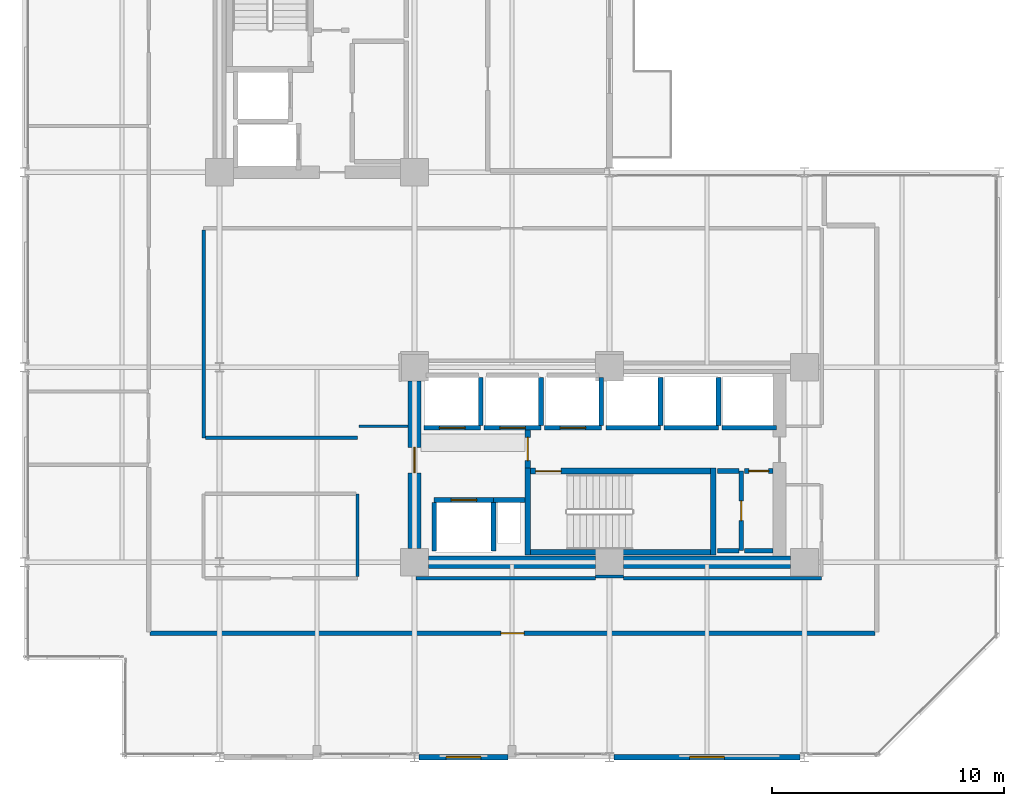
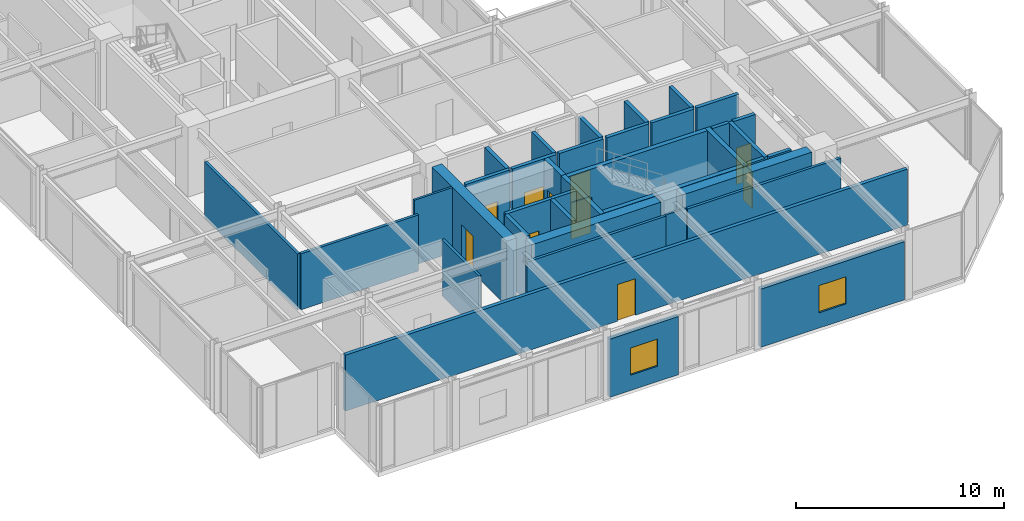
# One storey, part 24 of 29: 38 walls, 10 doors, 2 windows, 12 openings.
"""IFC4 building model written with IfcOpenShell, lengths in metres."""

from ifc_helpers import new_model, si_unit, direction, frame, frame_2d, origin, place, context, subcontext, project, spatial, rectangle, extrude, material, layer, layer_set, type_object, element, fill, save


model = new_model("IFC4")

# Units and contexts
model_context = context("Model", 3, precision=1e-05, world=origin(), true_north=direction((0.0, 1.0)))
body_context = subcontext(model_context, "Body", "Model", "MODEL_VIEW")
ifc_project = project(units=[si_unit("LENGTHUNIT", "METRE"), si_unit("AREAUNIT", "SQUARE_METRE"), si_unit("VOLUMEUNIT", "CUBIC_METRE"), si_unit("PLANEANGLEUNIT", "RADIAN"), si_unit("MASSUNIT", "GRAM", prefix="KILO")], contexts=[model_context])

# Site, building, storey
site_placement = place(None, origin())
site = spatial("IfcSite", under=ifc_project, at=site_placement, CompositionType="ELEMENT")
building_placement = place(site_placement, origin())
building = spatial("IfcBuilding", under=site, at=building_placement, Name="Nerrivon Quay Data Exchange", CompositionType="ELEMENT")
storey_placement = place(building_placement, frame((0.0, 0.0, 137.699951171875)))
storey = spatial("IfcBuildingStorey", under=building, at=storey_placement, Name="L32", CompositionType="ELEMENT", Elevation=137.699951171875)

# Wall, opening, window
ifc_material_1 = material(Name="Architectural terracotta precast concrete N50 (50 MPa)", Category="masonry")
ifc_layer_1 = layer(ifc_material_1, 0.239990234375)
ifc_layer_set_1 = layer_set([ifc_layer_1], Name="Architectural terracotta precast concrete N50 (50 MPa)")
wall_type_1 = type_object("IfcWallType", Name="EW-PREC-240", PredefinedType="STANDARD", material=ifc_layer_set_1)
wall_1_placement = place(storey_placement, frame((33.39990234375, 0.0, 0.0), z_axis=(0.0, 0.0, 1.0), x_axis=(-1.0, 0.0, 0.0)))
wall_1 = element("IfcWall", 1, at=wall_1_placement, inside=storey, type_object=wall_type_1, Name="L32 Podium Precast Spandrel Wall 3", PredefinedType="STANDARD", context=body_context, shape_type="SweptSolid", body=[
    extrude(rectangle(XDim=8.0, YDim=0.239990234375, at=frame_2d((4.0, 0.0))), origin(), (0.0, 0.0, 1.0), 3.422119140625),
])
opening_1_placement = place(wall_1_placement, frame((3.25, 0.0, 0.89990234375)))
opening_1 = element("IfcOpeningElement", 2, at=opening_1_placement, cuts=wall_1, Name="Opening WN4", PredefinedType="OPENING", context=body_context, shape_type="SweptSolid", body=[
    extrude(rectangle(XDim=1.5, YDim=1.60009765625, at=frame_2d((0.75, 0.800048828125))), frame((0.0, 0.1298828125, 0.0), z_axis=(0.0, -1.0, 0.0), x_axis=(1.0, 0.0, 0.0)), (0.0, 0.0, 1.0), 0.260009765625),
])
ifc_material_2 = material(Name="Double-glazed low-E solar control glass", Category="glass")
window_type = type_object("IfcWindowType", Name="WIN-W4-1500x1600", PartitioningType="SINGLE_PANEL", PredefinedType="WINDOW", material=ifc_material_2)
window_1_placement = place(opening_1_placement, origin())
window_1 = element("IfcWindow", 3, at=window_1_placement, inside=storey, type_object=window_type, Name="L32 Solar Facade Window 3", OverallHeight=1.60009765625, OverallWidth=1.5, PartitioningType="SINGLE_PANEL", PredefinedType="WINDOW", context=body_context, shape_type="SweptSolid", body=[
    extrude(rectangle(XDim=1.5, YDim=1.60009765625, at=frame_2d((0.75, 0.800048828125))), frame((0.0, 0.030029296875, 0.0), z_axis=(0.0, -1.0, 0.0), x_axis=(1.0, 0.0, 0.0)), (0.0, 0.0, 1.0), 0.06005859375),
])
fill(opening_1, window_1)

wall_2_placement = place(storey_placement, frame((20.824951171875, 0.0, 0.0), z_axis=(0.0, 0.0, 1.0), x_axis=(-1.0, 0.0, 0.0)))
wall_2 = element("IfcWall", 4, at=wall_2_placement, inside=storey, type_object=wall_type_1, Name="L32 Podium Precast Spandrel Wall 5", PredefinedType="STANDARD", context=body_context, shape_type="SweptSolid", body=[
    extrude(rectangle(XDim=3.824951171875, YDim=0.239990234375, at=frame_2d((1.91259765625, 0.0))), origin(), (0.0, 0.0, 1.0), 3.422119140625),
])
opening_2_placement = place(wall_2_placement, frame((1.16259765625, 0.0, 0.89990234375)))
opening_2 = element("IfcOpeningElement", 5, at=opening_2_placement, cuts=wall_2, Name="Opening WN4", PredefinedType="OPENING", context=body_context, shape_type="SweptSolid", body=[
    extrude(rectangle(XDim=1.5, YDim=1.60009765625, at=frame_2d((0.75, 0.800048828125))), frame((0.0, 0.1298828125, 0.0), z_axis=(0.0, -1.0, 0.0), x_axis=(1.0, 0.0, 0.0)), (0.0, 0.0, 1.0), 0.260009765625),
])
window_2_placement = place(opening_2_placement, origin())
window_2 = element("IfcWindow", 6, at=window_2_placement, inside=storey, type_object=window_type, Name="L32 Solar Facade Window 5", OverallHeight=1.60009765625, OverallWidth=1.5, PartitioningType="SINGLE_PANEL", PredefinedType="WINDOW", context=body_context, shape_type="SweptSolid", body=[
    extrude(rectangle(XDim=1.5, YDim=1.60009765625, at=frame_2d((0.75, 0.800048828125))), frame((0.0, 0.030029296875, 0.0), z_axis=(0.0, -1.0, 0.0), x_axis=(1.0, 0.0, 0.0)), (0.0, 0.0, 1.0), 0.06005859375),
])
fill(opening_2, window_2)

# Walls
ifc_material_3 = material(Name="Concrete S65 (65 MPa)", Category="concrete")
ifc_layer_2 = layer(ifc_material_3, 0.550048828125)
ifc_layer_set_2 = layer_set([ifc_layer_2], Name="Concrete S65 (65 MPa)")
wall_type_2 = type_object("IfcWallType", Name="WALL-CW-700", PredefinedType="SHEAR", material=ifc_layer_set_2)
wall_3_placement = place(storey_placement, frame((17.39990234375, 8.39990234375, 0.0), z_axis=(0.0, 0.0, 1.0), x_axis=(1.0, 0.0, 0.0)))
element("IfcWall", 7, at=wall_3_placement, inside=storey, type_object=wall_type_2, Name="L32 East Split-Core Shear Wall ECW-S1", PredefinedType="SHEAR", context=body_context, shape_type="SweptSolid", body=[
    extrude(rectangle(XDim=7.2001953125, YDim=0.550048828125, at=frame_2d((3.60009765625, 0.0))), origin(), (0.0, 0.0, 1.0), 3.824951171875),
])
wall_4_placement = place(storey_placement, frame((25.800048828125, 8.39990234375, 0.0), z_axis=(0.0, 0.0, 1.0), x_axis=(1.0, 0.0, 0.0)))
element("IfcWall", 8, at=wall_4_placement, inside=storey, type_object=wall_type_2, Name="L32 East Split-Core Shear Wall ECW-S2", PredefinedType="SHEAR", context=body_context, shape_type="SweptSolid", body=[
    extrude(rectangle(XDim=7.199951171875, YDim=0.550048828125, at=frame_2d((3.60009765625, 0.0))), origin(), (0.0, 0.0, 1.0), 3.824951171875),
])

# Wall, opening, door
wall_5_placement = place(storey_placement, frame((16.800048828125, 9.0, 0.0), z_axis=(0.0, 0.0, 1.0), x_axis=(0.0, 1.0, 0.0)))
wall_5 = element("IfcWall", 9, at=wall_5_placement, inside=storey, type_object=wall_type_2, Name="L32 East Split-Core Shear Wall ECW-W1", PredefinedType="SHEAR", context=body_context, shape_type="SweptSolid", body=[
    extrude(rectangle(XDim=7.199951171875, YDim=0.550048828125, at=frame_2d((3.60009765625, 0.0))), origin(), (0.0, 0.0, 1.0), 3.824951171875),
])
opening_3_placement = place(wall_5_placement, frame((3.25, 0.0, 0.0)))
opening_3 = element("IfcOpeningElement", 10, at=opening_3_placement, cuts=wall_5, Name="Opening FD-120", PredefinedType="OPENING", context=body_context, shape_type="SweptSolid", body=[
    extrude(rectangle(XDim=1.10009765625, YDim=2.14990234375, at=frame_2d((0.550048828125, 1.074951171875))), frame((0.0, 0.284912109375, 0.0), z_axis=(0.0, -1.0, 0.0), x_axis=(1.0, 0.0, 0.0)), (0.0, 0.0, 1.0), 0.570068359375),
])
ifc_material_4 = material(Name="Powder-coated galvanized steel sheet", Category="steel")
door_type_1 = type_object("IfcDoorType", Name="DR-FD120-1100", OperationType="NOTDEFINED", PredefinedType="DOOR", material=ifc_material_4)
door_1_placement = place(opening_3_placement, origin())
door_1 = element("IfcDoor", 11, at=door_1_placement, inside=storey, type_object=door_type_1, Name="L32 East Core Lobby Fire Door", OperationType="SINGLE_SWING_RIGHT", OverallHeight=2.14990234375, OverallWidth=1.10009765625, PredefinedType="DOOR", context=body_context, shape_type="SweptSolid", body=[
    extrude(rectangle(XDim=1.10009765625, YDim=2.14990234375, at=frame_2d((0.550048828125, 1.074951171875))), frame((0.0, 0.02490234375, 0.0), z_axis=(0.0, -1.0, 0.0), x_axis=(1.0, 0.0, 0.0)), (0.0, 0.0, 1.0), 0.050048828125),
])
fill(opening_3, door_1)

# Wall
ifc_material_5 = material(Name="Gypsum plasterboard on cold-formed framing", Category="gypsum")
ifc_layer_3 = layer(ifc_material_5, 0.199951171875)
ifc_layer_set_3 = layer_set([ifc_layer_3], Name="Gypsum plasterboard on cold-formed framing")
wall_type_3 = type_object("IfcWallType", Name="WALL-FW-200", PredefinedType="PARTITIONING", material=ifc_layer_set_3)
wall_6_placement = place(storey_placement, frame((20.199951171875, 11.080078125, 0.0), z_axis=(0.0, 0.0, 1.0), x_axis=(1.0, 0.0, 0.0)))
element("IfcWall", 12, at=wall_6_placement, inside=storey, type_object=wall_type_3, Name="L32 East Core MEP Riser Shaft Wall N", PredefinedType="PARTITIONING", context=body_context, shape_type="SweptSolid", body=[
    extrude(rectangle(XDim=1.35009765625, YDim=0.199951171875, at=frame_2d((0.675048828125, 0.0))), origin(), (0.0, 0.0, 1.0), 3.824951171875),
])

# Wall, opening, door
wall_7_placement = place(storey_placement, frame((17.64990234375, 11.080078125, 0.0), z_axis=(0.0, 0.0, 1.0), x_axis=(1.0, 0.0, 0.0)))
wall_7 = element("IfcWall", 13, at=wall_7_placement, inside=storey, type_object=wall_type_3, Name="L32 Lift Front Wall FFL-2", PredefinedType="PARTITIONING", context=body_context, shape_type="SweptSolid", body=[
    extrude(rectangle(XDim=2.550048828125, YDim=0.199951171875, at=frame_2d((1.27490234375, 0.0))), origin(), (0.0, 0.0, 1.0), 3.824951171875),
])
opening_4_placement = place(wall_7_placement, frame((0.72509765625, 0.0, 0.0)))
opening_4 = element("IfcOpeningElement", 14, at=opening_4_placement, cuts=wall_7, Name="Opening LD-120", PredefinedType="OPENING", context=body_context, shape_type="SweptSolid", body=[
    extrude(rectangle(XDim=1.10009765625, YDim=2.199951171875, at=frame_2d((0.550048828125, 1.10009765625))), frame((0.0, 0.10986328125, 0.0), z_axis=(0.0, -1.0, 0.0), x_axis=(1.0, 0.0, 0.0)), (0.0, 0.0, 1.0), 0.219970703125),
])
door_type_2 = type_object("IfcDoorType", Name="DR-LIFT-LD120", OperationType="DOUBLE_DOOR_SLIDING", PredefinedType="DOOR", material=ifc_material_4)
door_2_placement = place(opening_4_placement, origin())
door_2 = element("IfcDoor", 15, at=door_2_placement, inside=storey, type_object=door_type_2, Name="L32 Lift Landing Sliding Door FFL-2", OperationType="DOUBLE_DOOR_SLIDING", OverallHeight=2.199951171875, OverallWidth=1.10009765625, PredefinedType="DOOR", context=body_context, shape_type="SweptSolid", body=[
    extrude(rectangle(XDim=1.10009765625, YDim=2.199951171875, at=frame_2d((0.550048828125, 1.10009765625))), frame((0.0, 0.02490234375, 0.0), z_axis=(0.0, -1.0, 0.0), x_axis=(1.0, 0.0, 0.0)), (0.0, 0.0, 1.0), 0.050048828125),
])
fill(opening_4, door_2)

# Walls
for number, where, z_axis, x_axis, name in (
    (16, (20.199951171875, 8.8798828125, 0.0), (0.0, 0.0, 1.0), (0.0, 1.0, 0.0), "L32 Lift Shaft Wall FFL-2 EAST"),
    (17, (17.64990234375, 8.8798828125, 0.0), (0.0, 0.0, 1.0), (0.0, 1.0, 0.0), "L32 Lift Shaft Wall FFL-2 WEST"),
):
    element("IfcWall", number, at=place(storey_placement, frame(where, z_axis=z_axis, x_axis=x_axis)), inside=storey, type_object=wall_type_3, Name=name, PredefinedType="PARTITIONING", context=body_context, shape_type="SweptSolid", body=[
        extrude(rectangle(XDim=2.10009765625, YDim=0.199951171875, at=frame_2d((1.050048828125, 0.0))), origin(), (0.0, 0.0, 1.0), 3.824951171875),
    ])

# Wall, opening, door
wall_8_placement = place(storey_placement, frame((17.199951171875, 14.199951171875, 0.0), z_axis=(0.0, 0.0, 1.0), x_axis=(1.0, 0.0, 0.0)))
wall_8 = element("IfcWall", 18, at=wall_8_placement, inside=storey, type_object=wall_type_3, Name="L32 Lift Front Wall PL4", PredefinedType="PARTITIONING", context=body_context, shape_type="SweptSolid", body=[
    extrude(rectangle(XDim=2.449951171875, YDim=0.199951171875, at=frame_2d((1.22509765625, 0.0))), origin(), (0.0, 0.0, 1.0), 3.824951171875),
])
opening_5_placement = place(wall_8_placement, frame((0.675048828125, 0.0, 0.0)))
opening_5 = element("IfcOpeningElement", 19, at=opening_5_placement, cuts=wall_8, Name="Opening LD-120", PredefinedType="OPENING", context=body_context, shape_type="SweptSolid", body=[
    extrude(rectangle(XDim=1.10009765625, YDim=2.199951171875, at=frame_2d((0.550048828125, 1.10009765625))), frame((0.0, 0.10986328125, 0.0), z_axis=(0.0, -1.0, 0.0), x_axis=(1.0, 0.0, 0.0)), (0.0, 0.0, 1.0), 0.219970703125),
])
door_3_placement = place(opening_5_placement, origin())
door_3 = element("IfcDoor", 20, at=door_3_placement, inside=storey, type_object=door_type_2, Name="L32 Lift Landing Sliding Door PL4", OperationType="DOUBLE_DOOR_SLIDING", OverallHeight=2.199951171875, OverallWidth=1.10009765625, PredefinedType="DOOR", context=body_context, shape_type="SweptSolid", body=[
    extrude(rectangle(XDim=1.10009765625, YDim=2.199951171875, at=frame_2d((0.550048828125, 1.10009765625))), frame((0.0, 0.02490234375, 0.0), z_axis=(0.0, -1.0, 0.0), x_axis=(1.0, 0.0, 0.0)), (0.0, 0.0, 1.0), 0.050048828125),
])
fill(opening_5, door_3)

# Wall
wall_9_placement = place(storey_placement, frame((19.64990234375, 14.300048828125, 0.0), z_axis=(0.0, 0.0, 1.0), x_axis=(0.0, 1.0, 0.0)))
element("IfcWall", 21, at=wall_9_placement, inside=storey, type_object=wall_type_3, Name="L32 Lift Shaft Wall PL4 EAST", PredefinedType="PARTITIONING", context=body_context, shape_type="SweptSolid", body=[
    extrude(rectangle(XDim=2.050048828125, YDim=0.199951171875, at=frame_2d((1.02490234375, 0.0))), origin(), (0.0, 0.0, 1.0), 3.824951171875),
])

# Wall, opening, door
wall_10_placement = place(storey_placement, frame((19.800048828125, 14.199951171875, 0.0), z_axis=(0.0, 0.0, 1.0), x_axis=(1.0, 0.0, 0.0)))
wall_10 = element("IfcWall", 22, at=wall_10_placement, inside=storey, type_object=wall_type_3, Name="L32 Lift Front Wall PL5", PredefinedType="PARTITIONING", context=body_context, shape_type="SweptSolid", body=[
    extrude(rectangle(XDim=2.449951171875, YDim=0.199951171875, at=frame_2d((1.22509765625, 0.0))), origin(), (0.0, 0.0, 1.0), 3.824951171875),
])
opening_6_placement = place(wall_10_placement, frame((0.675048828125, 0.0, 0.0)))
opening_6 = element("IfcOpeningElement", 23, at=opening_6_placement, cuts=wall_10, Name="Opening LD-120", PredefinedType="OPENING", context=body_context, shape_type="SweptSolid", body=[
    extrude(rectangle(XDim=1.10009765625, YDim=2.199951171875, at=frame_2d((0.550048828125, 1.10009765625))), frame((0.0, 0.10986328125, 0.0), z_axis=(0.0, -1.0, 0.0), x_axis=(1.0, 0.0, 0.0)), (0.0, 0.0, 1.0), 0.219970703125),
])
door_4_placement = place(opening_6_placement, origin())
door_4 = element("IfcDoor", 24, at=door_4_placement, inside=storey, type_object=door_type_2, Name="L32 Lift Landing Sliding Door PL5", OperationType="DOUBLE_DOOR_SLIDING", OverallHeight=2.199951171875, OverallWidth=1.10009765625, PredefinedType="DOOR", context=body_context, shape_type="SweptSolid", body=[
    extrude(rectangle(XDim=1.10009765625, YDim=2.199951171875, at=frame_2d((0.550048828125, 1.10009765625))), frame((0.0, 0.02490234375, 0.0), z_axis=(0.0, -1.0, 0.0), x_axis=(1.0, 0.0, 0.0)), (0.0, 0.0, 1.0), 0.050048828125),
])
fill(opening_6, door_4)

# Wall
wall_11_placement = place(storey_placement, frame((22.25, 14.300048828125, 0.0), z_axis=(0.0, 0.0, 1.0), x_axis=(0.0, 1.0, 0.0)))
element("IfcWall", 25, at=wall_11_placement, inside=storey, type_object=wall_type_3, Name="L32 Lift Shaft Wall PL5 EAST", PredefinedType="PARTITIONING", context=body_context, shape_type="SweptSolid", body=[
    extrude(rectangle(XDim=2.050048828125, YDim=0.199951171875, at=frame_2d((1.02490234375, 0.0))), origin(), (0.0, 0.0, 1.0), 3.824951171875),
])

# Wall, opening, door
wall_12_placement = place(storey_placement, frame((22.39990234375, 14.199951171875, 0.0), z_axis=(0.0, 0.0, 1.0), x_axis=(1.0, 0.0, 0.0)))
wall_12 = element("IfcWall", 26, at=wall_12_placement, inside=storey, type_object=wall_type_3, Name="L32 Lift Front Wall PL6", PredefinedType="PARTITIONING", context=body_context, shape_type="SweptSolid", body=[
    extrude(rectangle(XDim=2.4501953125, YDim=0.199951171875, at=frame_2d((1.22509765625, 0.0))), origin(), (0.0, 0.0, 1.0), 3.824951171875),
])
opening_7_placement = place(wall_12_placement, frame((0.675048828125, 0.0, 0.0)))
opening_7 = element("IfcOpeningElement", 27, at=opening_7_placement, cuts=wall_12, Name="Opening LD-120", PredefinedType="OPENING", context=body_context, shape_type="SweptSolid", body=[
    extrude(rectangle(XDim=1.10009765625, YDim=2.199951171875, at=frame_2d((0.550048828125, 1.10009765625))), frame((0.0, 0.10986328125, 0.0), z_axis=(0.0, -1.0, 0.0), x_axis=(1.0, 0.0, 0.0)), (0.0, 0.0, 1.0), 0.219970703125),
])
door_5_placement = place(opening_7_placement, origin())
door_5 = element("IfcDoor", 28, at=door_5_placement, inside=storey, type_object=door_type_2, Name="L32 Lift Landing Sliding Door PL6", OperationType="DOUBLE_DOOR_SLIDING", OverallHeight=2.199951171875, OverallWidth=1.10009765625, PredefinedType="DOOR", context=body_context, shape_type="SweptSolid", body=[
    extrude(rectangle(XDim=1.10009765625, YDim=2.199951171875, at=frame_2d((0.550048828125, 1.10009765625))), frame((0.0, 0.02490234375, 0.0), z_axis=(0.0, -1.0, 0.0), x_axis=(1.0, 0.0, 0.0)), (0.0, 0.0, 1.0), 0.050048828125),
])
fill(opening_7, door_5)

# Walls
wall_13_placement = place(storey_placement, frame((24.85009765625, 14.300048828125, 0.0), z_axis=(0.0, 0.0, 1.0), x_axis=(0.0, 1.0, 0.0)))
element("IfcWall", 29, at=wall_13_placement, inside=storey, type_object=wall_type_3, Name="L32 Lift Shaft Wall PL6 EAST", PredefinedType="PARTITIONING", context=body_context, shape_type="SweptSolid", body=[
    extrude(rectangle(XDim=2.050048828125, YDim=0.199951171875, at=frame_2d((1.02490234375, 0.0))), origin(), (0.0, 0.0, 1.0), 3.824951171875),
])
wall_14_placement = place(storey_placement, frame((25.050048828125, 14.199951171875, 0.0), z_axis=(0.0, 0.0, 1.0), x_axis=(1.0, 0.0, 0.0)))
element("IfcWall", 30, at=wall_14_placement, inside=storey, type_object=wall_type_3, Name="L32 Lift Front Wall PL7", PredefinedType="PARTITIONING", context=body_context, shape_type="SweptSolid", body=[
    extrude(rectangle(XDim=2.349853515625, YDim=0.199951171875, at=frame_2d((1.1748046875, 0.0))), origin(), (0.0, 0.0, 1.0), 3.824951171875),
])
wall_15_placement = place(storey_placement, frame((27.39990234375, 14.300048828125, 0.0), z_axis=(0.0, 0.0, 1.0), x_axis=(0.0, 1.0, 0.0)))
element("IfcWall", 31, at=wall_15_placement, inside=storey, type_object=wall_type_3, Name="L32 Lift Shaft Wall PL7 EAST", PredefinedType="PARTITIONING", context=body_context, shape_type="SweptSolid", body=[
    extrude(rectangle(XDim=2.050048828125, YDim=0.199951171875, at=frame_2d((1.02490234375, 0.0))), origin(), (0.0, 0.0, 1.0), 3.824951171875),
])
wall_16_placement = place(storey_placement, frame((27.550048828125, 14.199951171875, 0.0), z_axis=(0.0, 0.0, 1.0), x_axis=(1.0, 0.0, 0.0)))
element("IfcWall", 32, at=wall_16_placement, inside=storey, type_object=wall_type_3, Name="L32 Lift Front Wall PL8", PredefinedType="PARTITIONING", context=body_context, shape_type="SweptSolid", body=[
    extrude(rectangle(XDim=2.349853515625, YDim=0.199951171875, at=frame_2d((1.1748046875, 0.0))), origin(), (0.0, 0.0, 1.0), 3.824951171875),
])
wall_17_placement = place(storey_placement, frame((29.89990234375, 14.300048828125, 0.0), z_axis=(0.0, 0.0, 1.0), x_axis=(0.0, 1.0, 0.0)))
element("IfcWall", 33, at=wall_17_placement, inside=storey, type_object=wall_type_3, Name="L32 Lift Shaft Wall PL8 EAST", PredefinedType="PARTITIONING", context=body_context, shape_type="SweptSolid", body=[
    extrude(rectangle(XDim=2.050048828125, YDim=0.199951171875, at=frame_2d((1.02490234375, 0.0))), origin(), (0.0, 0.0, 1.0), 3.824951171875),
])
wall_18_placement = place(storey_placement, frame((30.050048828125, 14.199951171875, 0.0), z_axis=(0.0, 0.0, 1.0), x_axis=(1.0, 0.0, 0.0)))
element("IfcWall", 34, at=wall_18_placement, inside=storey, type_object=wall_type_3, Name="L32 Lift Front Wall PL9", PredefinedType="PARTITIONING", context=body_context, shape_type="SweptSolid", body=[
    extrude(rectangle(XDim=2.349853515625, YDim=0.199951171875, at=frame_2d((1.1748046875, 0.0))), origin(), (0.0, 0.0, 1.0), 3.824951171875),
])

# Wall, opening, door
wall_19_placement = place(storey_placement, frame((30.8798828125, 8.89990234375, 0.0), z_axis=(0.0, 0.0, 1.0), x_axis=(0.0, 1.0, 0.0)))
wall_19 = element("IfcWall", 35, at=wall_19_placement, inside=storey, type_object=wall_type_3, Name="L32 Partition East Electrical Closet", PredefinedType="PARTITIONING", context=body_context, shape_type="SweptSolid", body=[
    extrude(rectangle(XDim=3.43017578125, YDim=0.199951171875, at=frame_2d((1.715087890625, 0.0))), origin(), (0.0, 0.0, 1.0), 3.824951171875),
])
opening_8_placement = place(wall_19_placement, frame((1.2900390625, 0.0, 0.0)))
opening_8 = element("IfcOpeningElement", 36, at=opening_8_placement, cuts=wall_19, Name="Opening FD-60S", PredefinedType="OPENING", context=body_context, shape_type="SweptSolid", body=[
    extrude(rectangle(XDim=0.85009765625, YDim=2.14990234375, at=frame_2d((0.425048828125, 1.074951171875))), frame((0.0, 0.10986328125, 0.0), z_axis=(0.0, -1.0, 0.0), x_axis=(1.0, 0.0, 0.0)), (0.0, 0.0, 1.0), 0.219970703125),
])
ifc_material_6 = material(Name="Engineered hardwood timber", Category="wood")
door_type_3 = type_object("IfcDoorType", Name="DR-FD60-850", OperationType="NOTDEFINED", PredefinedType="DOOR", material=ifc_material_6)
door_6_placement = place(opening_8_placement, origin())
door_6 = element("IfcDoor", 37, at=door_6_placement, inside=storey, type_object=door_type_3, Name="L32 Door East Electrical Closet", OperationType="SINGLE_SWING_LEFT", OverallHeight=2.14990234375, OverallWidth=0.85009765625, PredefinedType="DOOR", context=body_context, shape_type="SweptSolid", body=[
    extrude(rectangle(XDim=0.85009765625, YDim=2.14990234375, at=frame_2d((0.425048828125, 1.074951171875))), frame((0.0, 0.02490234375, 0.0), z_axis=(0.0, -1.0, 0.0), x_axis=(1.0, 0.0, 0.0)), (0.0, 0.0, 1.0), 0.050048828125),
])
fill(opening_8, door_6)

# Walls
for number, where, z_axis, x_axis, name in (
    (38, (30.77587890625, 12.330078125, 0.0), (0.0, 0.0, 1.0), (-1.0, 0.0, 0.0), "L32 Partition East Electrical Closet"),
    (39, (29.85009765625, 8.89990234375, 0.0), (0.0, 0.0, 1.0), (1.0, 0.0, 0.0), "L32 Partition East Electrical Closet"),
):
    element("IfcWall", number, at=place(storey_placement, frame(where, z_axis=z_axis, x_axis=x_axis)), inside=storey, type_object=wall_type_3, Name=name, PredefinedType="PARTITIONING", context=body_context, shape_type="SweptSolid", body=[
        extrude(rectangle(XDim=0.92578125, YDim=0.199951171875, at=frame_2d((0.462890625, 0.0))), origin(), (0.0, 0.0, 1.0), 3.824951171875),
    ])

# Wall, opening, door
wall_20_placement = place(storey_placement, frame((32.24609375, 12.330078125, 0.0), z_axis=(0.0, 0.0, 1.0), x_axis=(-1.0, 0.0, 0.0)))
wall_20 = element("IfcWall", 40, at=wall_20_placement, inside=storey, type_object=wall_type_3, Name="L32 Partition East Cleaners Store", PredefinedType="PARTITIONING", context=body_context, shape_type="SweptSolid", body=[
    extrude(rectangle(XDim=1.22607421875, YDim=0.199951171875, at=frame_2d((0.613037109375, 0.0))), origin(), (0.0, 0.0, 1.0), 3.824951171875),
])
opening_9_placement = place(wall_20_placement, frame((0.18798828125, 0.0, 0.0)))
opening_9 = element("IfcOpeningElement", 41, at=opening_9_placement, cuts=wall_20, Name="Opening FD-60S", PredefinedType="OPENING", context=body_context, shape_type="SweptSolid", body=[
    extrude(rectangle(XDim=0.85009765625, YDim=2.14990234375, at=frame_2d((0.425048828125, 1.074951171875))), frame((0.0, 0.10986328125, 0.0), z_axis=(0.0, -1.0, 0.0), x_axis=(1.0, 0.0, 0.0)), (0.0, 0.0, 1.0), 0.219970703125),
])
door_7_placement = place(opening_9_placement, origin())
door_7 = element("IfcDoor", 42, at=door_7_placement, inside=storey, type_object=door_type_3, Name="L32 Door East Cleaners Store", OperationType="SINGLE_SWING_RIGHT", OverallHeight=2.14990234375, OverallWidth=0.85009765625, PredefinedType="DOOR", context=body_context, shape_type="SweptSolid", body=[
    extrude(rectangle(XDim=0.85009765625, YDim=2.14990234375, at=frame_2d((0.425048828125, 1.074951171875))), frame((0.0, 0.02490234375, 0.0), z_axis=(0.0, -1.0, 0.0), x_axis=(1.0, 0.0, 0.0)), (0.0, 0.0, 1.0), 0.050048828125),
])
fill(opening_9, door_7)

# Wall
wall_21_placement = place(storey_placement, frame((31.02001953125, 8.89990234375, 0.0), z_axis=(0.0, 0.0, 1.0), x_axis=(1.0, 0.0, 0.0)))
element("IfcWall", 43, at=wall_21_placement, inside=storey, type_object=wall_type_3, Name="L32 Partition East Cleaners Store", PredefinedType="PARTITIONING", context=body_context, shape_type="SweptSolid", body=[
    extrude(rectangle(XDim=1.22607421875, YDim=0.199951171875, at=frame_2d((0.613037109375, 0.0))), origin(), (0.0, 0.0, 1.0), 3.824951171875),
])

# Wall, opening, door
wall_22_placement = place(storey_placement, frame((36.64990234375, 5.340087890625, 0.0), z_axis=(0.0, 0.0, 1.0), x_axis=(-1.0, 0.0, 0.0)))
wall_22 = element("IfcWall", 44, at=wall_22_placement, inside=storey, type_object=wall_type_3, Name="L32 Partition Colocation Data Workspace 1", PredefinedType="PARTITIONING", context=body_context, shape_type="SweptSolid", body=[
    extrude(rectangle(XDim=31.25, YDim=0.199951171875, at=frame_2d((15.625, 0.0))), origin(), (0.0, 0.0, 1.0), 3.297119140625),
])
opening_10_placement = place(wall_22_placement, frame((15.125, 0.0, 0.0)))
opening_10 = element("IfcOpeningElement", 45, at=opening_10_placement, cuts=wall_22, Name="Opening FD-60", PredefinedType="OPENING", context=body_context, shape_type="SweptSolid", body=[
    extrude(rectangle(XDim=1.0, YDim=2.14990234375, at=frame_2d((0.5, 1.074951171875))), frame((0.0, 0.10986328125, 0.0), z_axis=(0.0, -1.0, 0.0), x_axis=(1.0, 0.0, 0.0)), (0.0, 0.0, 1.0), 0.219970703125),
])
door_type_4 = type_object("IfcDoorType", Name="DR-FD60-1000", OperationType="NOTDEFINED", PredefinedType="DOOR", material=ifc_material_6)
door_8_placement = place(opening_10_placement, origin())
door_8 = element("IfcDoor", 46, at=door_8_placement, inside=storey, type_object=door_type_4, Name="L32 Door Colocation Data Workspace 1", OperationType="SINGLE_SWING_LEFT", OverallHeight=2.14990234375, OverallWidth=1.0, PredefinedType="DOOR", context=body_context, shape_type="SweptSolid", body=[
    extrude(rectangle(XDim=1.0, YDim=2.14990234375, at=frame_2d((0.5, 1.074951171875))), frame((0.0, 0.02490234375, 0.0), z_axis=(0.0, -1.0, 0.0), x_axis=(1.0, 0.0, 0.0)), (0.0, 0.0, 1.0), 0.050048828125),
])
fill(opening_10, door_8)

# Walls
ifc_layer_4 = layer(ifc_material_5, 0.1201171875)
ifc_layer_set_4 = layer_set([ifc_layer_4], Name="Gypsum plasterboard on cold-formed framing")
wall_type_4 = type_object("IfcWallType", Name="WALL-PT-120", PredefinedType="PARTITIONING", material=ifc_layer_set_4)
wall_23_placement = place(storey_placement, frame((25.805908203125, 7.781005859375, 0.0), z_axis=(0.0, 0.0, 1.0), x_axis=(-0.999999672047, -0.000809880277, 0.0)))
element("IfcWall", 47, at=wall_23_placement, inside=storey, type_object=wall_type_4, Name="L32 Partition Staff Pantry", PredefinedType="PARTITIONING", context=body_context, shape_type="SweptSolid", body=[
    extrude(rectangle(XDim=1.205810546875, YDim=0.1201171875, at=frame_2d((0.60302734375, 0.0))), origin(), (0.0, 0.0, 1.0), 3.297119140625),
])
wall_24_placement = place(storey_placement, frame((14.39990234375, 14.260009765625, 0.0), z_axis=(0.0, 0.0, 1.0), x_axis=(1.0, 0.0, 0.0)))
element("IfcWall", 48, at=wall_24_placement, inside=storey, type_object=wall_type_4, Name="L32 Partition Peering Huddle Meeting Room", PredefinedType="PARTITIONING", context=body_context, shape_type="SweptSolid", body=[
    extrude(rectangle(XDim=2.12109375, YDim=0.1201171875, at=frame_2d((1.060546875, 0.0))), origin(), (0.0, 0.0, 1.0), 3.824951171875),
])
ifc_layer_5 = layer(ifc_material_5, 0.135009765625)
ifc_layer_set_5 = layer_set([ifc_layer_5], Name="Gypsum plasterboard on cold-formed framing")
wall_type_5 = type_object("IfcWallType", Name="WALL-PT-135", PredefinedType="PARTITIONING", material=ifc_layer_set_5)
wall_25_placement = place(storey_placement, frame((14.340087890625, 7.7890625, 0.0), z_axis=(0.0, 0.0, 1.0), x_axis=(0.0, 1.0, 0.0)))
element("IfcWall", 49, at=wall_25_placement, inside=storey, type_object=wall_type_5, Name="L32 Partition Client Conference Room 1", PredefinedType="PARTITIONING", context=body_context, shape_type="SweptSolid", body=[
    extrude(rectangle(XDim=3.551025390625, YDim=0.135009765625, at=frame_2d((1.775390625, 0.0))), origin(), (0.0, 0.0, 1.0), 3.2919921875),
])
ifc_layer_6 = layer(ifc_material_5, 0.14990234375)
ifc_layer_set_6 = layer_set([ifc_layer_6], Name="Gypsum plasterboard on cold-formed framing")
wall_type_6 = type_object("IfcWallType", Name="WALL-PT-150", PredefinedType="PARTITIONING", material=ifc_layer_set_6)
wall_26_placement = place(storey_placement, frame((16.860107421875, 7.7099609375, 0.0), z_axis=(0.0, 0.0, 1.0), x_axis=(1.0, 0.0, 0.0)))
element("IfcWall", 50, at=wall_26_placement, inside=storey, type_object=wall_type_6, Name="L32 Partition Staff Pantry", PredefinedType="PARTITIONING", context=body_context, shape_type="SweptSolid", body=[
    extrude(rectangle(XDim=7.739990234375, YDim=0.14990234375, at=frame_2d((3.8701171875, 0.0))), origin(), (0.0, 0.0, 1.0), 3.297119140625),
])
wall_27_placement = place(storey_placement, frame((25.805908203125, 7.7099609375, 0.0), z_axis=(0.0, 0.0, 1.0), x_axis=(1.0, 0.0, 0.0)))
element("IfcWall", 51, at=wall_27_placement, inside=storey, type_object=wall_type_6, Name="L32 Partition Staff Pantry", PredefinedType="PARTITIONING", context=body_context, shape_type="SweptSolid", body=[
    extrude(rectangle(XDim=8.5341796875, YDim=0.14990234375, at=frame_2d((4.26708984375, 0.0))), origin(), (0.0, 0.0, 1.0), 3.297119140625),
])
wall_28_placement = place(storey_placement, frame((7.7099609375, 22.7109375, 0.0), z_axis=(0.0, 0.0, 1.0), x_axis=(0.0, -1.0, 0.0)))
element("IfcWall", 52, at=wall_28_placement, inside=storey, type_object=wall_type_6, Name="L32 Partition Peering Huddle Meeting Room", PredefinedType="PARTITIONING", context=body_context, shape_type="SweptSolid", body=[
    extrude(rectangle(XDim=8.950927734375, YDim=0.14990234375, at=frame_2d((4.4755859375, 0.0))), origin(), (0.0, 0.0, 1.0), 3.2919921875),
])
wall_29_placement = place(storey_placement, frame((7.7890625, 13.760009765625, 0.0), z_axis=(0.0, 0.0, 1.0), x_axis=(1.0, 0.0, 0.0)))
element("IfcWall", 53, at=wall_29_placement, inside=storey, type_object=wall_type_6, Name="L32 Partition Peering Huddle Meeting Room", PredefinedType="PARTITIONING", context=body_context, shape_type="SweptSolid", body=[
    extrude(rectangle(XDim=6.551025390625, YDim=0.14990234375, at=frame_2d((3.275390625, 0.0))), origin(), (0.0, 0.0, 1.0), 3.297119140625),
])
ifc_material_7 = material(Name="Concrete N50 (50 MPa)", Category="concrete")
ifc_layer_7 = layer(ifc_material_7, 0.25)
ifc_layer_set_7 = layer_set([ifc_layer_7], Name="Concrete N50 (50 MPa)")
wall_type_7 = type_object("IfcWallType", Name="WALL-SW-250", PredefinedType="SHEAR", material=ifc_layer_set_7)
for number, where, z_axis, x_axis, name in (
    (54, (21.675048828125, 8.699951171875, 0.0), (0.0, 0.0, 1.0), (0.0, 1.0, 0.0), "L32 ST02 Structural Stair Core Wall NEAR"),
    (55, (29.675048828125, 8.699951171875, 0.0), (0.0, 0.0, 1.0), (0.0, 1.0, 0.0), "L32 ST02 Structural Stair Core Wall FAR"),
):
    element("IfcWall", number, at=place(storey_placement, frame(where, z_axis=z_axis, x_axis=x_axis)), inside=storey, type_object=wall_type_7, Name=name, PredefinedType="SHEAR", context=body_context, shape_type="SweptSolid", body=[
        extrude(rectangle(XDim=3.75, YDim=0.25, at=frame_2d((1.875, 0.0))), origin(), (0.0, 0.0, 1.0), 3.824951171875),
    ])
wall_30_placement = place(storey_placement, frame((21.800048828125, 8.824951171875, 0.0), z_axis=(0.0, 0.0, 1.0), x_axis=(1.0, 0.0, 0.0)))
element("IfcWall", 56, at=wall_30_placement, inside=storey, type_object=wall_type_7, Name="L32 ST02 Structural Stair Core Wall LEFT", PredefinedType="SHEAR", context=body_context, shape_type="SweptSolid", body=[
    extrude(rectangle(XDim=7.75, YDim=0.25, at=frame_2d((3.875, 0.0))), origin(), (0.0, 0.0, 1.0), 3.824951171875),
])

# Wall, opening, door
wall_31_placement = place(storey_placement, frame((21.800048828125, 12.324951171875, 0.0), z_axis=(0.0, 0.0, 1.0), x_axis=(1.0, 0.0, 0.0)))
wall_31 = element("IfcWall", 57, at=wall_31_placement, inside=storey, type_object=wall_type_7, Name="L32 ST02 Structural Stair Core Wall RIGHT", PredefinedType="SHEAR", context=body_context, shape_type="SweptSolid", body=[
    extrude(rectangle(XDim=7.75, YDim=0.25, at=frame_2d((3.875, 0.0))), origin(), (0.0, 0.0, 1.0), 3.824951171875),
])
opening_11_placement = place(wall_31_placement, frame((0.219970703125, 0.0, 0.0)))
opening_11 = element("IfcOpeningElement", 58, at=opening_11_placement, cuts=wall_31, Name="Opening FD-120", PredefinedType="OPENING", context=body_context, shape_type="SweptSolid", body=[
    extrude(rectangle(XDim=1.10009765625, YDim=2.14990234375, at=frame_2d((0.550048828125, 1.074951171875))), frame((0.0, 0.135009765625, 0.0), z_axis=(0.0, -1.0, 0.0), x_axis=(1.0, 0.0, 0.0)), (0.0, 0.0, 1.0), 0.27001953125),
])
door_9_placement = place(opening_11_placement, origin())
door_9 = element("IfcDoor", 59, at=door_9_placement, inside=storey, type_object=door_type_1, Name="L32 Protected Stair Door ST02", OperationType="SINGLE_SWING_RIGHT", OverallHeight=2.14990234375, OverallWidth=1.10009765625, PredefinedType="DOOR", context=body_context, shape_type="SweptSolid", body=[
    extrude(rectangle(XDim=1.10009765625, YDim=2.14990234375, at=frame_2d((0.550048828125, 1.074951171875))), frame((0.0, 0.02490234375, 0.0), z_axis=(0.0, -1.0, 0.0), x_axis=(1.0, 0.0, 0.0)), (0.0, 0.0, 1.0), 0.050048828125),
])
fill(opening_11, door_9)

wall_32_placement = place(storey_placement, frame((21.679931640625, 12.449951171875, 0.0), z_axis=(0.0, 0.0, 1.0), x_axis=(0.0, 1.0, 0.0)))
wall_32 = element("IfcWall", 60, at=wall_32_placement, inside=storey, type_object=wall_type_7, Name="L32 East Firefighting Lobby Wall", PredefinedType="SHEAR", context=body_context, shape_type="SweptSolid", body=[
    extrude(rectangle(XDim=1.650146484375, YDim=0.25, at=frame_2d((0.8251953125, 0.0))), origin(), (0.0, 0.0, 1.0), 3.824951171875),
])
opening_12_placement = place(wall_32_placement, frame((0.324951171875, 0.0, 0.0)))
opening_12 = element("IfcOpeningElement", 61, at=opening_12_placement, cuts=wall_32, Name="Opening FD-60", PredefinedType="OPENING", context=body_context, shape_type="SweptSolid", body=[
    extrude(rectangle(XDim=1.0, YDim=2.14990234375, at=frame_2d((0.5, 1.074951171875))), frame((0.0, 0.135009765625, 0.0), z_axis=(0.0, -1.0, 0.0), x_axis=(1.0, 0.0, 0.0)), (0.0, 0.0, 1.0), 0.27001953125),
])
door_10_placement = place(opening_12_placement, origin())
door_10 = element("IfcDoor", 62, at=door_10_placement, inside=storey, type_object=door_type_4, Name="L32 East Firefighting Lobby Fire Door", OperationType="SINGLE_SWING_RIGHT", OverallHeight=2.14990234375, OverallWidth=1.0, PredefinedType="DOOR", context=body_context, shape_type="SweptSolid", body=[
    extrude(rectangle(XDim=1.0, YDim=2.14990234375, at=frame_2d((0.5, 1.074951171875))), frame((0.0, 0.02490234375, 0.0), z_axis=(0.0, -1.0, 0.0), x_axis=(1.0, 0.0, 0.0)), (0.0, 0.0, 1.0), 0.050048828125),
])
fill(opening_12, door_10)

save(model, "model.ifc")
